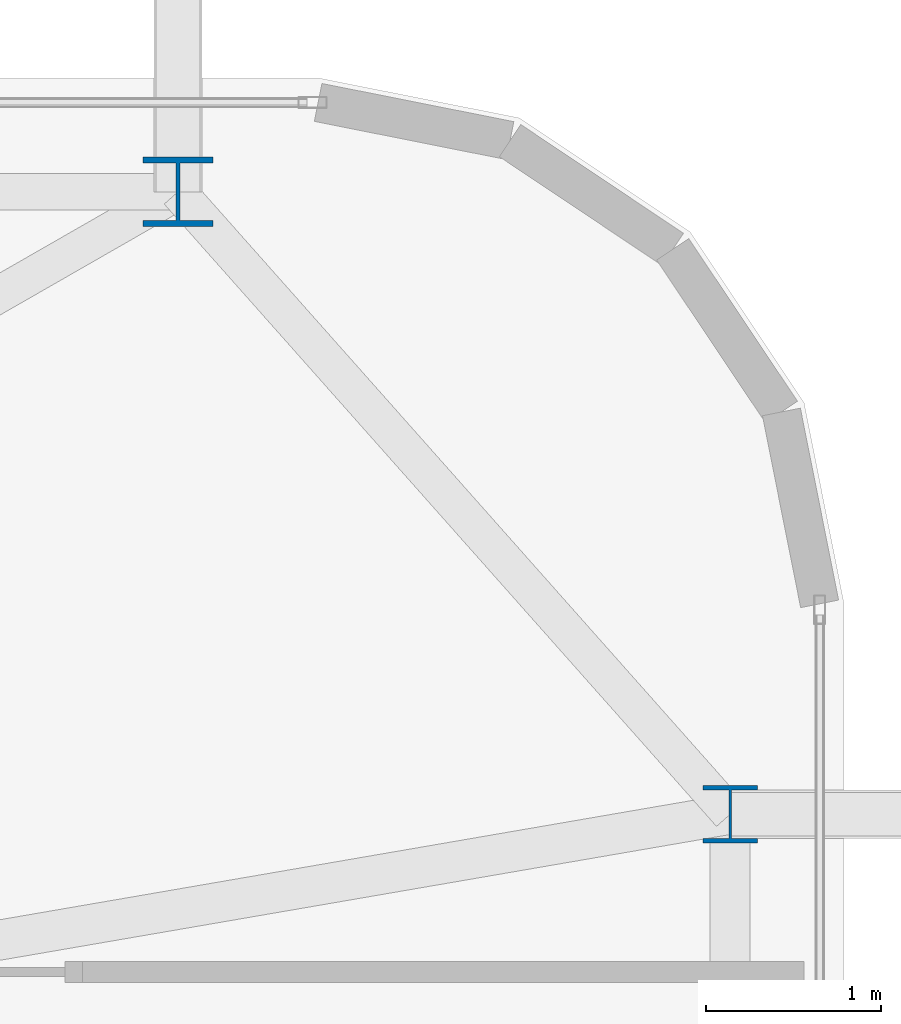
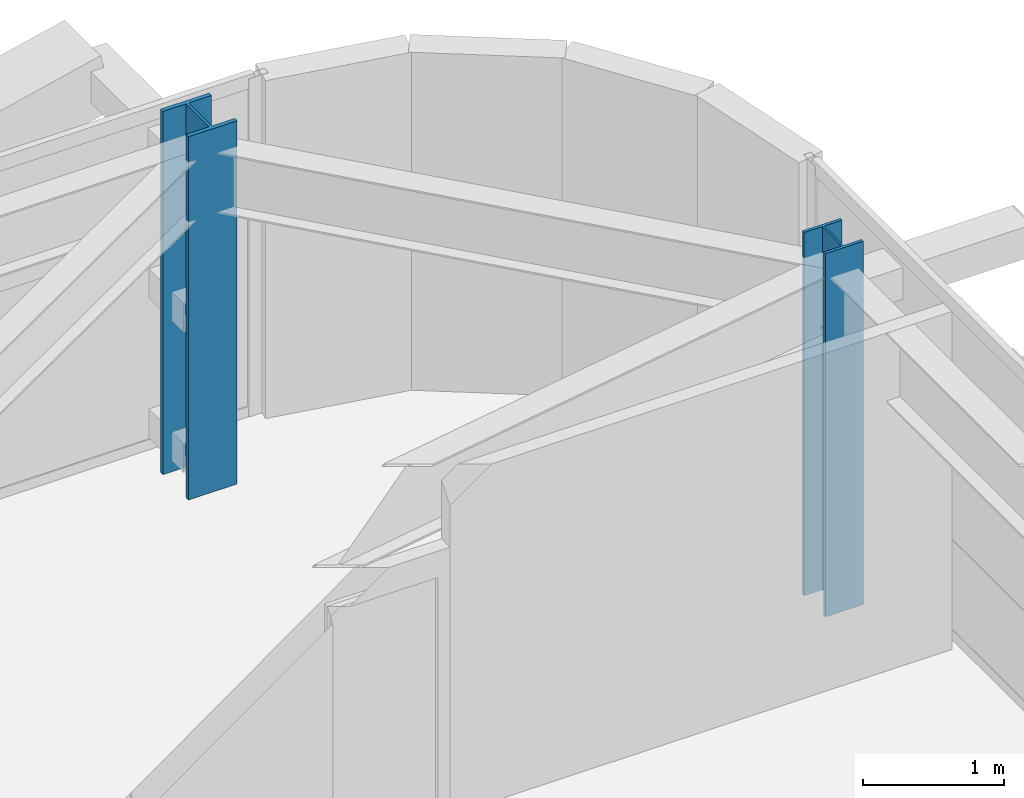
# One storey, part 4 of 59: 2 columns.
"""IFC4 building model written with IfcOpenShell, lengths in metres."""

from ifc_helpers import new_model, si_unit, direction, frame, origin, origin_2d, place, context, subcontext, project, spatial, i_section, extrude, source, transform, mapped, material, material_profile, profile_set, type_object, element, save


model = new_model("IFC4")

# Units and contexts
model_context = context("Model", 3, precision=1e-05, world=origin(), true_north=direction((0.0, 1.0)))
body_context = subcontext(model_context, "Body", "Model", "MODEL_VIEW")
ifc_project = project(units=[si_unit("LENGTHUNIT", "METRE"), si_unit("AREAUNIT", "SQUARE_METRE"), si_unit("VOLUMEUNIT", "CUBIC_METRE"), si_unit("PLANEANGLEUNIT", "RADIAN"), si_unit("MASSUNIT", "GRAM", prefix="KILO")], contexts=[model_context])

# Site, building, storey
site_placement = place(None, origin())
site = spatial("IfcSite", under=ifc_project, at=site_placement, CompositionType="ELEMENT")
building_placement = place(site_placement, origin())
building = spatial("IfcBuilding", under=site, at=building_placement, Name="Taldren Reach Tower", CompositionType="ELEMENT")
storey_placement = place(building_placement, frame((0.0, 0.0, 23.10009765625)))
storey = spatial("IfcBuildingStorey", under=building, at=storey_placement, Name="L06", CompositionType="ELEMENT", Elevation=23.10009765625)

# Columns
ifc_material = material(Name="Steel Gr 350 (350PLUS)", Category="steel")
ifc_material_profile_1 = material_profile(ifc_material, i_section(OverallWidth=0.39990234375, OverallDepth=0.39599609375, WebThickness=0.02197265625, FlangeThickness=0.033935546875, at=origin_2d()), Name="400WC270")
ifc_profile_set_1 = profile_set([ifc_material_profile_1], Name="Steel Gr 350 (350PLUS)")
column_type_1 = type_object("IfcColumnType", Name="COL-WC400", PredefinedType="COLUMN", material=ifc_profile_set_1)
shared_shape_1 = source(origin(), body_context, "Body", "SweptSolid", [
    extrude(i_section(OverallWidth=0.39990234375, OverallDepth=0.39599609375, WebThickness=0.02197265625, FlangeThickness=0.033935546875, at=origin_2d()), origin(), (0.0, 0.0, 1.0), 3.14990234375),
])
column_1_placement = place(storey_placement, frame((61.199951171875, 37.85009765625, 0.0), z_axis=(0.0, 0.0, 1.0), x_axis=(1.0, 0.0, 0.0)))
element("IfcColumn", 1, at=column_1_placement, inside=storey, type_object=column_type_1, Name="Block B1 perimeter column N6 L06", PredefinedType="COLUMN", context=body_context, shape_type="MappedRepresentation", body=[
    mapped(shared_shape_1, transform((0.0, 0.0, 0.0), scale=1.0)),
])
ifc_material_profile_2 = material_profile(ifc_material, i_section(OverallWidth=0.31103515625, OverallDepth=0.326904296875, WebThickness=0.015625, FlangeThickness=0.02490234375, at=origin_2d()), Name="310UC158")
ifc_profile_set_2 = profile_set([ifc_material_profile_2], Name="Steel Gr 350 (350PLUS)")
column_type_2 = type_object("IfcColumnType", Name="COL-UC310A", PredefinedType="COLUMN", material=ifc_profile_set_2)
shared_shape_2 = source(origin(), body_context, "Body", "SweptSolid", [
    extrude(i_section(OverallWidth=0.31103515625, OverallDepth=0.326904296875, WebThickness=0.015625, FlangeThickness=0.02490234375, at=origin_2d()), origin(), (0.0, 0.0, 1.0), 3.14990234375),
])
column_2_placement = place(storey_placement, frame((64.35009765625, 34.300048828125, 0.0), z_axis=(0.0, 0.0, 1.0), x_axis=(1.0, 0.0, 0.0)))
element("IfcColumn", 2, at=column_2_placement, inside=storey, type_object=column_type_2, Name="Block B1 perimeter column E3 L06", PredefinedType="COLUMN", context=body_context, shape_type="MappedRepresentation", body=[
    mapped(shared_shape_2, transform((0.0, 0.0, 0.0), scale=1.0)),
])

save(model, "model.ifc")
